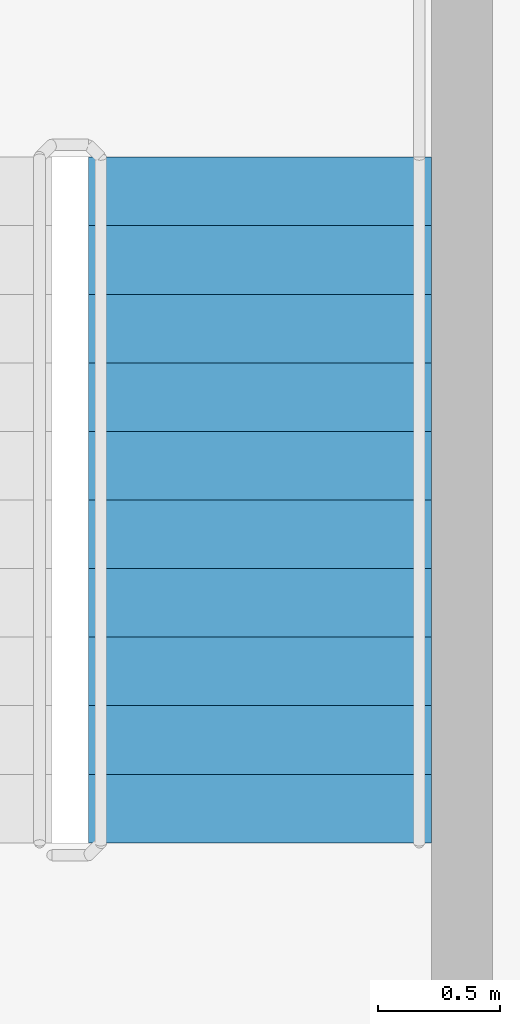
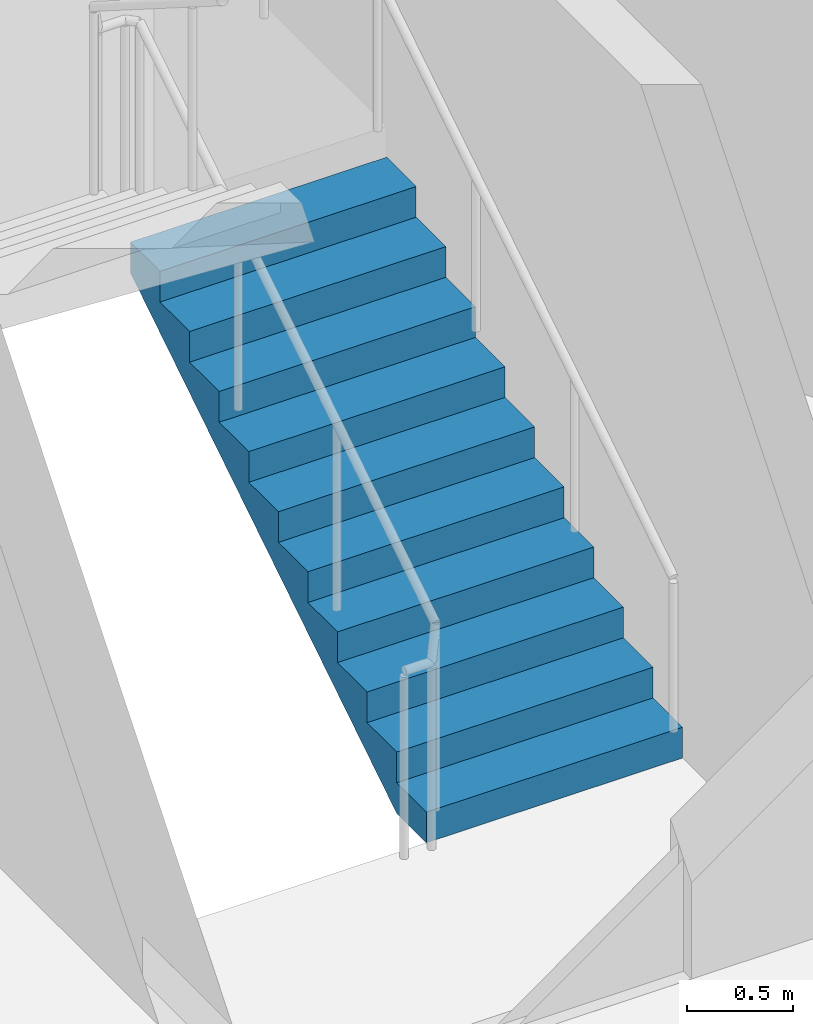
# One storey, part 11 of 13: 1 stair flight, 1 element without a shape of its own.
"""IFC4 building model written with IfcOpenShell, lengths in metres."""

from ifc_helpers import new_model, si_unit, direction, frame, origin, place, context, subcontext, project, spatial, polyline, outline, extrude, material, type_object, element, aggregate, save


model = new_model("IFC4")

# Units and contexts
model_context = context("Model", 3, precision=1e-05, world=origin(), true_north=direction((0.0, 1.0)))
body_context = subcontext(model_context, "Body", "Model", "MODEL_VIEW")
ifc_project = project(units=[si_unit("LENGTHUNIT", "METRE"), si_unit("AREAUNIT", "SQUARE_METRE"), si_unit("VOLUMEUNIT", "CUBIC_METRE"), si_unit("PLANEANGLEUNIT", "RADIAN"), si_unit("MASSUNIT", "GRAM", prefix="KILO")], contexts=[model_context])

# Site, building, storey
site_placement = place(None, origin())
site = spatial("IfcSite", under=ifc_project, at=site_placement, CompositionType="ELEMENT")
building_placement = place(site_placement, origin())
building = spatial("IfcBuilding", under=site, at=building_placement, Name="Tarnside Tower", CompositionType="ELEMENT")
storey_placement = place(building_placement, frame((0.0, 0.0, 80.39990234375)))
storey = spatial("IfcBuildingStorey", under=building, at=storey_placement, Name="L17", CompositionType="ELEMENT", Elevation=80.39990234375)

# Stair, stair flight
ifc_material = material(Name="Concrete C40/50", Category="concrete")
stair_type = type_object("IfcStairType", Name="Exit stair 1400 clear", PredefinedType="HALF_TURN_STAIR", material=ifc_material)
stair_placement = place(storey_placement, origin())
stair = element("IfcStair", 1, at=stair_placement, inside=storey, type_object=stair_type, Name="L17 Exit stair 1", PredefinedType="HALF_TURN_STAIR")
stair_flight_type = type_object("IfcStairFlightType", Name="Exit stair flight 1400", PredefinedType="STRAIGHT", material=ifc_material)
stair_flight_placement = place(storey_placement, frame((8.14990234375, -1.800048828125, 0.0), z_axis=(0.0, 0.0, 1.0), x_axis=(0.0, 1.0, 0.0)))
stair_flight = element("IfcStairFlight", 2, at=stair_flight_placement, type_object=stair_flight_type, Name="ST1 flight 1", NumberOfRisers=11, NumberOfTreads=10, PredefinedType="STRAIGHT", RiserHeight=0.177272727, TreadLength=0.28, context=body_context, shape_type="SweptSolid", body=[
    extrude(outline(polyline([(0.0, 0.0), (0.0, 0.17724609375), (0.280029296875, 0.17724609375), (0.280029296875, 0.3544921875), (0.56005859375, 0.3544921875), (0.56005859375, 0.53173828125), (0.840087890625, 0.53173828125), (0.840087890625, 0.708984375), (1.1201171875, 0.708984375), (1.1201171875, 0.886474609375), (1.39990234375, 0.886474609375), (1.39990234375, 1.063720703125), (1.679931640625, 1.063720703125), (1.679931640625, 1.240966796875), (1.9599609375, 1.240966796875), (1.9599609375, 1.418212890625), (2.239990234375, 1.418212890625), (2.239990234375, 1.595458984375), (2.52001953125, 1.595458984375), (2.52001953125, 1.772705078125), (2.800048828125, 1.772705078125), (2.800048828125, 1.949951171875), (2.800048828125, 1.59521484375), (0.2802734375, 0.0), (0.0, 0.0)])), frame((0.0, 0.699951171875, 0.0), z_axis=(0.0, -1.0, 0.0), x_axis=(1.0, 0.0, 0.0)), (0.0, 0.0, 1.0), 1.39990234375),
])
aggregate(stair, [stair_flight])

save(model, "model.ifc")
